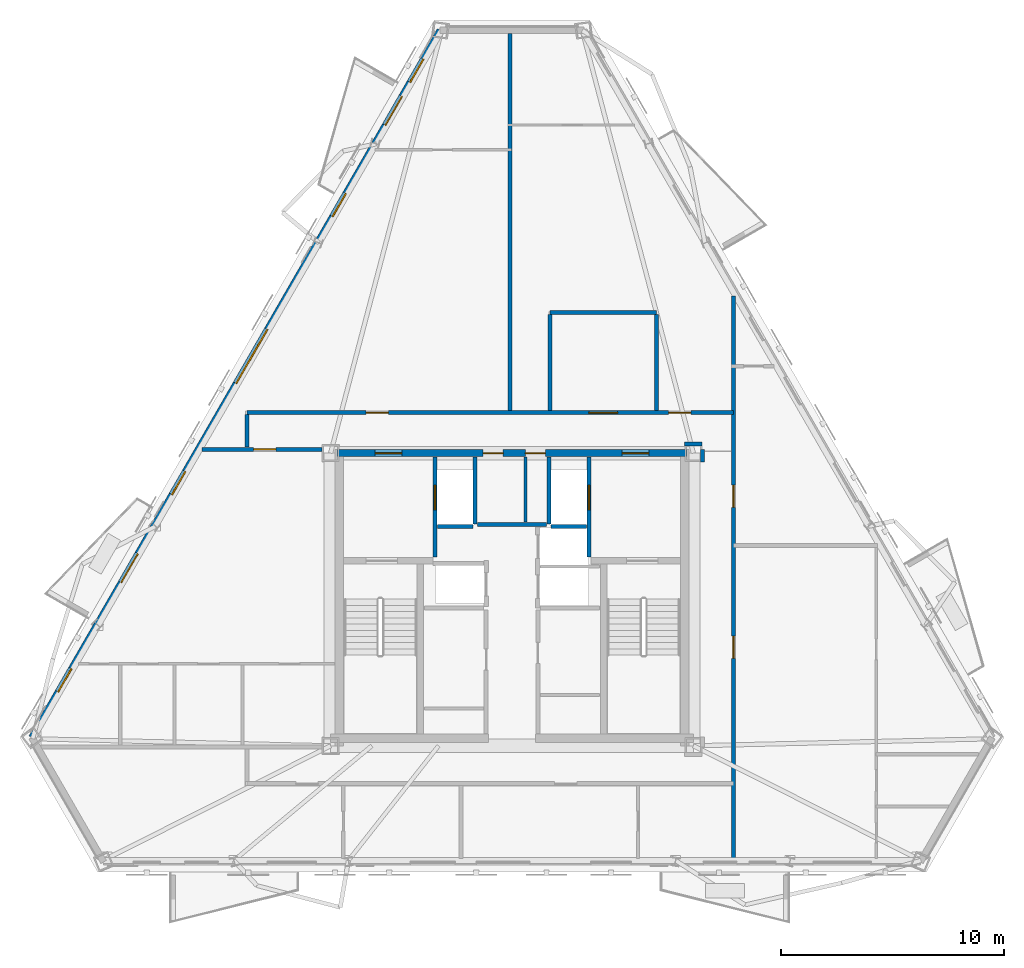
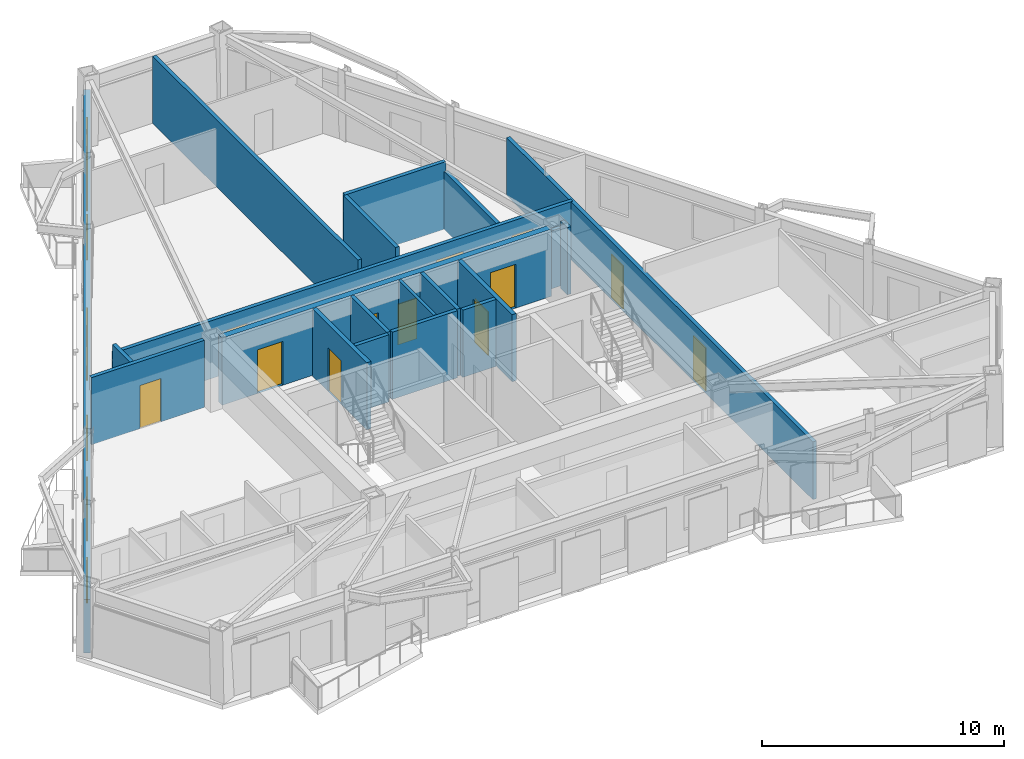
# One storey, part 4 of 9: 20 walls, 14 doors, 5 windows, 19 openings.
"""IFC4 building model written with IfcOpenShell, lengths in metres."""

from ifc_helpers import new_model, si_unit, direction, frame, frame_2d, origin, place, context, subcontext, project, spatial, rectangle, extrude, material, layer, layer_set, type_object, element, fill, save


model = new_model("IFC4")

# Units and contexts
model_context = context("Model", 3, precision=1e-05, world=origin(), true_north=direction((0.0, 1.0)))
body_context = subcontext(model_context, "Body", "Model", "MODEL_VIEW")
ifc_project = project(units=[si_unit("LENGTHUNIT", "METRE"), si_unit("AREAUNIT", "SQUARE_METRE"), si_unit("VOLUMEUNIT", "CUBIC_METRE"), si_unit("PLANEANGLEUNIT", "RADIAN"), si_unit("MASSUNIT", "GRAM", prefix="KILO")], contexts=[model_context])

# Site, building, storey
site_placement = place(None, origin())
site = spatial("IfcSite", under=ifc_project, at=site_placement, CompositionType="ELEMENT")
building_placement = place(site_placement, origin())
building = spatial("IfcBuilding", under=site, at=building_placement, Name="Oramaril Tower", CompositionType="ELEMENT")
storey_placement = place(building_placement, frame((0.0, 0.0, 223.5)))
storey = spatial("IfcBuildingStorey", under=building, at=storey_placement, Name="L59", CompositionType="ELEMENT", Elevation=223.5)

# Wall, openings, doors, windows
ifc_material_1 = material(Name="Warm Cream Limestone", Category="masonry")
ifc_layer_1 = layer(ifc_material_1, 0.2900390625)
ifc_layer_set_1 = layer_set([ifc_layer_1], Name="WT-EXT29")
wall_type_1 = type_object("IfcWallType", Name="WT-EXT29", PredefinedType="SOLIDWALL", material=ifc_layer_set_1)
wall_1_placement = place(storey_placement, frame((34.27392578125, 43.144287109375, 0.0), z_axis=(0.0, 0.0, 1.0), x_axis=(-0.500000292553, -0.866025234879, 0.0)))
wall_1 = element("IfcWall", 1, at=wall_1_placement, inside=storey, type_object=wall_type_1, Name="L59 Tower Limestone Facade Wall 6M", PredefinedType="SOLIDWALL", context=body_context, shape_type="SweptSolid", body=[
    extrude(rectangle(XDim=36.68798828125, YDim=0.2900390625, at=frame_2d((18.343994140625, 0.0))), origin(), (0.0, 0.0, 1.0), 2.677001953125),
])
opening_1_placement = place(wall_1_placement, frame((3.429443359375, 0.0, 0.0)))
opening_1 = element("IfcOpeningElement", 2, at=opening_1_placement, cuts=wall_1, Name="Opening D-L59-BAL-NW1", PredefinedType="OPENING", context=body_context, shape_type="SweptSolid", body=[
    extrude(rectangle(XDim=1.5, YDim=2.199951171875, at=frame_2d((0.75, 1.10009765625))), frame((0.0, 0.14501953125, 0.0), z_axis=(0.0, -1.0, 0.0), x_axis=(1.0, 0.0, 0.0)), (0.0, 0.0, 1.0), 0.2900390625),
])
opening_2_placement = place(wall_1_placement, frame((27.153564453125, 0.0, 0.0)))
opening_2 = element("IfcOpeningElement", 3, at=opening_2_placement, cuts=wall_1, Name="Opening D-L59-BAL-NW2", PredefinedType="OPENING", context=body_context, shape_type="SweptSolid", body=[
    extrude(rectangle(XDim=1.5, YDim=2.199951171875, at=frame_2d((0.75, 1.10009765625))), frame((0.0, 0.14501953125, 0.0), z_axis=(0.0, -1.0, 0.0), x_axis=(1.0, 0.0, 0.0)), (0.0, 0.0, 1.0), 0.2900390625),
])
opening_3_placement = place(wall_1_placement, frame((22.892578125, 0.0, 0.85009765625)))
opening_3 = element("IfcOpeningElement", 4, at=opening_3_placement, cuts=wall_1, Name="Opening WN-09", PredefinedType="OPENING", context=body_context, shape_type="SweptSolid", body=[
    extrude(rectangle(XDim=1.199951171875, YDim=1.47998046875, at=frame_2d((0.60009765625, 0.739990234375))), frame((0.0, 0.14501953125, 0.0), z_axis=(0.0, -1.0, 0.0), x_axis=(1.0, 0.0, 0.0)), (0.0, 0.0, 1.0), 0.2900390625),
])
opening_4_placement = place(wall_1_placement, frame((33.123779296875, 0.0, 0.85009765625)))
opening_4 = element("IfcOpeningElement", 5, at=opening_4_placement, cuts=wall_1, Name="Opening WN-09", PredefinedType="OPENING", context=body_context, shape_type="SweptSolid", body=[
    extrude(rectangle(XDim=1.199951171875, YDim=1.47998046875, at=frame_2d((0.60009765625, 0.739990234375))), frame((0.0, 0.14501953125, 0.0), z_axis=(0.0, -1.0, 0.0), x_axis=(1.0, 0.0, 0.0)), (0.0, 0.0, 1.0), 0.2900390625),
])
opening_5_placement = place(wall_1_placement, frame((8.469482421875, 0.0, 0.85009765625)))
opening_5 = element("IfcOpeningElement", 6, at=opening_5_placement, cuts=wall_1, Name="Opening WN-09", PredefinedType="OPENING", context=body_context, shape_type="SweptSolid", body=[
    extrude(rectangle(XDim=1.199951171875, YDim=1.47998046875, at=frame_2d((0.60009765625, 0.739990234375))), frame((0.0, 0.14501953125, 0.0), z_axis=(0.0, -1.0, 0.0), x_axis=(1.0, 0.0, 0.0)), (0.0, 0.0, 1.0), 0.2900390625),
])
opening_6_placement = place(wall_1_placement, frame((15.52099609375, 0.0, 0.85009765625)))
opening_6 = element("IfcOpeningElement", 7, at=opening_6_placement, cuts=wall_1, Name="Opening WN-01", PredefinedType="OPENING", context=body_context, shape_type="SweptSolid", body=[
    extrude(rectangle(XDim=2.800048828125, YDim=1.717041015625, at=frame_2d((1.39990234375, 0.8583984375))), frame((0.0, 0.14501953125, 0.0), z_axis=(0.0, -1.0, 0.0), x_axis=(1.0, 0.0, 0.0)), (0.0, 0.0, 1.0), 0.2900390625),
])
opening_7_placement = place(wall_1_placement, frame((1.499267578125, 0.0, 0.85009765625)))
opening_7 = element("IfcOpeningElement", 8, at=opening_7_placement, cuts=wall_1, Name="Opening WN-09", PredefinedType="OPENING", context=body_context, shape_type="SweptSolid", body=[
    extrude(rectangle(XDim=1.199951171875, YDim=1.47998046875, at=frame_2d((0.60009765625, 0.739990234375))), frame((0.0, 0.14501953125, 0.0), z_axis=(0.0, -1.0, 0.0), x_axis=(1.0, 0.0, 0.0)), (0.0, 0.0, 1.0), 0.2900390625),
])
ifc_material_2 = material(Name="Anodised Aluminium 6063-T6", Category="aluminium")
door_type_1 = type_object("IfcDoorType", Name="DT-BAL", OperationType="NOTDEFINED", PredefinedType="DOOR", material=ifc_material_2)
door_1_placement = place(opening_1_placement, origin())
door_1 = element("IfcDoor", 9, at=door_1_placement, inside=storey, type_object=door_type_1, Name="L59 Balcony Glazed Door L59-BAL-NW1", OperationType="SINGLE_SWING_RIGHT", OverallHeight=2.199951171875, OverallWidth=1.5, PredefinedType="DOOR", context=body_context, shape_type="SweptSolid", body=[
    extrude(rectangle(XDim=1.5, YDim=2.199951171875, at=frame_2d((0.75, 1.10009765625))), frame((0.0, 0.02490234375, 0.0), z_axis=(0.0, -1.0, 0.0), x_axis=(1.0, 0.0, 0.0)), (0.0, 0.0, 1.0), 0.050048828125),
])
fill(opening_1, door_1)
door_2_placement = place(opening_2_placement, origin())
door_2 = element("IfcDoor", 10, at=door_2_placement, inside=storey, type_object=door_type_1, Name="L59 Balcony Glazed Door L59-BAL-NW2", OperationType="SINGLE_SWING_LEFT", OverallHeight=2.199951171875, OverallWidth=1.5, PredefinedType="DOOR", context=body_context, shape_type="SweptSolid", body=[
    extrude(rectangle(XDim=1.5, YDim=2.199951171875, at=frame_2d((0.75, 1.10009765625))), frame((0.0, 0.02490234375, 0.0), z_axis=(0.0, -1.0, 0.0), x_axis=(1.0, 0.0, 0.0)), (0.0, 0.0, 1.0), 0.050048828125),
])
fill(opening_2, door_2)
ifc_material_3 = material(Name="Coastal Low-E Insulated Glass", Category="glass")
window_type_1 = type_object("IfcWindowType", Name="WNT-01", PartitioningType="SINGLE_PANEL", PredefinedType="WINDOW", material=ifc_material_3)
window_1_placement = place(opening_6_placement, origin())
window_1 = element("IfcWindow", 11, at=window_1_placement, inside=storey, type_object=window_type_1, Name="L59 Chicago Bay Window WN-01", OverallHeight=1.717041015625, OverallWidth=2.800048828125, PartitioningType="SINGLE_PANEL", PredefinedType="WINDOW", context=body_context, shape_type="SweptSolid", body=[
    extrude(rectangle(XDim=2.800048828125, YDim=1.717041015625, at=frame_2d((1.39990234375, 0.8583984375))), frame((0.0, 0.030029296875, 0.0), z_axis=(0.0, -1.0, 0.0), x_axis=(1.0, 0.0, 0.0)), (0.0, 0.0, 1.0), 0.06005859375),
])
fill(opening_6, window_1)
ifc_material_4 = material(Name="Coastal Low-E Insulated Glass", Category="glass")
window_type_2 = type_object("IfcWindowType", Name="WNT-09", PartitioningType="SINGLE_PANEL", PredefinedType="WINDOW", material=ifc_material_4)
window_2_placement = place(opening_3_placement, origin())
window_2 = element("IfcWindow", 12, at=window_2_placement, inside=storey, type_object=window_type_2, Name="L59 Chicago Bay Window WN-09", OverallHeight=1.47998046875, OverallWidth=1.199951171875, PartitioningType="SINGLE_PANEL", PredefinedType="WINDOW", context=body_context, shape_type="SweptSolid", body=[
    extrude(rectangle(XDim=1.199951171875, YDim=1.47998046875, at=frame_2d((0.60009765625, 0.739990234375))), frame((0.0, 0.030029296875, 0.0), z_axis=(0.0, -1.0, 0.0), x_axis=(1.0, 0.0, 0.0)), (0.0, 0.0, 1.0), 0.06005859375),
])
fill(opening_3, window_2)
window_3_placement = place(opening_4_placement, origin())
window_3 = element("IfcWindow", 13, at=window_3_placement, inside=storey, type_object=window_type_2, Name="L59 Chicago Bay Window WN-09", OverallHeight=1.47998046875, OverallWidth=1.199951171875, PartitioningType="SINGLE_PANEL", PredefinedType="WINDOW", context=body_context, shape_type="SweptSolid", body=[
    extrude(rectangle(XDim=1.199951171875, YDim=1.47998046875, at=frame_2d((0.60009765625, 0.739990234375))), frame((0.0, 0.030029296875, 0.0), z_axis=(0.0, -1.0, 0.0), x_axis=(1.0, 0.0, 0.0)), (0.0, 0.0, 1.0), 0.06005859375),
])
fill(opening_4, window_3)
window_4_placement = place(opening_5_placement, origin())
window_4 = element("IfcWindow", 14, at=window_4_placement, inside=storey, type_object=window_type_2, Name="L59 Chicago Bay Window WN-09", OverallHeight=1.47998046875, OverallWidth=1.199951171875, PartitioningType="SINGLE_PANEL", PredefinedType="WINDOW", context=body_context, shape_type="SweptSolid", body=[
    extrude(rectangle(XDim=1.199951171875, YDim=1.47998046875, at=frame_2d((0.60009765625, 0.739990234375))), frame((0.0, 0.030029296875, 0.0), z_axis=(0.0, -1.0, 0.0), x_axis=(1.0, 0.0, 0.0)), (0.0, 0.0, 1.0), 0.06005859375),
])
fill(opening_5, window_4)
window_5_placement = place(opening_7_placement, origin())
window_5 = element("IfcWindow", 15, at=window_5_placement, inside=storey, type_object=window_type_2, Name="L59 Chicago Bay Window WN-09", OverallHeight=1.47998046875, OverallWidth=1.199951171875, PartitioningType="SINGLE_PANEL", PredefinedType="WINDOW", context=body_context, shape_type="SweptSolid", body=[
    extrude(rectangle(XDim=1.199951171875, YDim=1.47998046875, at=frame_2d((0.60009765625, 0.739990234375))), frame((0.0, 0.030029296875, 0.0), z_axis=(0.0, -1.0, 0.0), x_axis=(1.0, 0.0, 0.0)), (0.0, 0.0, 1.0), 0.06005859375),
])
fill(opening_7, window_5)

# Walls
ifc_material_5 = material(Name="Acoustic Gypsum Board Partition")
ifc_layer_2 = layer(ifc_material_5, 0.139892578125)
ifc_layer_set_2 = layer_set([ifc_layer_2], Name="WT-PT14")
wall_type_2 = type_object("IfcWallType", Name="WT-PT14", PredefinedType="PARTITIONING", material=ifc_layer_set_2)
wall_2_placement = place(storey_placement, frame((38.110107421875, 21.06005859375, 0.0), z_axis=(0.0, 0.0, 1.0), x_axis=(0.0, 1.0, 0.0)))
element("IfcWall", 16, at=wall_2_placement, inside=storey, type_object=wall_type_2, Name="L59 Core Service Divider", PredefinedType="PARTITIONING", context=body_context, shape_type="SweptSolid", body=[
    extrude(rectangle(XDim=2.919921875, YDim=0.139892578125, at=frame_2d((1.4599609375, 0.0))), origin(), (0.0, 0.0, 1.0), 3.3798828125),
])
ifc_material_6 = material(Name="Autoclaved Cellular Concrete Block", Category="concrete")
ifc_layer_3 = layer(ifc_material_6, 0.179931640625)
ifc_layer_set_3 = layer_set([ifc_layer_3], Name="WT-PT18")
wall_type_3 = type_object("IfcWallType", Name="WT-PT18", PredefinedType="PARTITIONING", material=ifc_layer_set_3)
wall_3_placement = place(storey_placement, frame((35.840087890625, 20.9599609375, 0.0), z_axis=(0.0, 0.0, 1.0), x_axis=(0.0, 1.0, 0.0)))
element("IfcWall", 17, at=wall_3_placement, inside=storey, type_object=wall_type_3, Name="L59 FL-1 East Shaft Wall", PredefinedType="PARTITIONING", context=body_context, shape_type="SweptSolid", body=[
    extrude(rectangle(XDim=3.02001953125, YDim=0.179931640625, at=frame_2d((1.510009765625, 0.0))), origin(), (0.0, 0.0, 1.0), 3.3798828125),
])
wall_4_placement = place(storey_placement, frame((34.159912109375, 20.860107421875, 0.0), z_axis=(0.0, 0.0, 1.0), x_axis=(1.0, 0.0, 0.0)))
element("IfcWall", 18, at=wall_4_placement, inside=storey, type_object=wall_type_3, Name="L59 FL-1 South Shaft Wall", PredefinedType="PARTITIONING", context=body_context, shape_type="SweptSolid", body=[
    extrude(rectangle(XDim=1.580078125, YDim=0.179931640625, at=frame_2d((0.7900390625, 0.0))), origin(), (0.0, 0.0, 1.0), 3.3798828125),
])
wall_5_placement = place(storey_placement, frame((39.159912109375, 20.9599609375, 0.0), z_axis=(0.0, 0.0, 1.0), x_axis=(0.0, 1.0, 0.0)))
element("IfcWall", 19, at=wall_5_placement, inside=storey, type_object=wall_type_3, Name="L59 FL-2 West Shaft Wall", PredefinedType="PARTITIONING", context=body_context, shape_type="SweptSolid", body=[
    extrude(rectangle(XDim=3.02001953125, YDim=0.179931640625, at=frame_2d((1.510009765625, 0.0))), origin(), (0.0, 0.0, 1.0), 3.3798828125),
])
wall_6_placement = place(storey_placement, frame((39.260009765625, 20.860107421875, 0.0), z_axis=(0.0, 0.0, 1.0), x_axis=(1.0, 0.0, 0.0)))
element("IfcWall", 20, at=wall_6_placement, inside=storey, type_object=wall_type_3, Name="L59 FL-2 South Shaft Wall", PredefinedType="PARTITIONING", context=body_context, shape_type="SweptSolid", body=[
    extrude(rectangle(XDim=1.580078125, YDim=0.179931640625, at=frame_2d((0.7900390625, 0.0))), origin(), (0.0, 0.0, 1.0), 3.3798828125),
])
wall_7_placement = place(storey_placement, frame((35.949951171875, 20.949951171875, 0.0), z_axis=(0.0, 0.0, 1.0), x_axis=(1.0, 0.0, 0.0)))
element("IfcWall", 21, at=wall_7_placement, inside=storey, type_object=wall_type_3, Name="L59 Lift Lobby North Partition", PredefinedType="PARTITIONING", context=body_context, shape_type="SweptSolid", body=[
    extrude(rectangle(XDim=3.10009765625, YDim=0.179931640625, at=frame_2d((1.550048828125, 0.0))), origin(), (0.0, 0.0, 1.0), 3.3798828125),
])

# Wall, opening, door
wall_8_placement = place(storey_placement, frame((23.577880859375, 24.320068359375, 0.0), z_axis=(0.0, 0.0, 1.0), x_axis=(1.0, 0.0, 0.0)))
wall_8 = element("IfcWall", 22, at=wall_8_placement, inside=storey, type_object=wall_type_3, Name="L59 Interior Partition PT-18", PredefinedType="PARTITIONING", context=body_context, shape_type="SweptSolid", body=[
    extrude(rectangle(XDim=5.382080078125, YDim=0.179931640625, at=frame_2d((2.69091796875, 0.0))), origin(), (0.0, 0.0, 1.0), 3.3798828125),
])
opening_8_placement = place(wall_8_placement, frame((2.310302734375, 0.0, 0.0)))
opening_8 = element("IfcOpeningElement", 23, at=opening_8_placement, cuts=wall_8, Name="Opening D-L59-07", PredefinedType="OPENING", context=body_context, shape_type="SweptSolid", body=[
    extrude(rectangle(XDim=1.0, YDim=2.179931640625, at=frame_2d((0.5, 1.08984375))), frame((0.0, 0.08984375, 0.0), z_axis=(0.0, -1.0, 0.0), x_axis=(1.0, 0.0, 0.0)), (0.0, 0.0, 1.0), 0.179931640625),
])
ifc_material_7 = material(Name="FSC Brazilian Freijo Hardwood", Category="wood")
door_type_2 = type_object("IfcDoorType", Name="DT-APT", OperationType="NOTDEFINED", PredefinedType="DOOR", material=ifc_material_7)
door_3_placement = place(opening_8_placement, origin())
door_3 = element("IfcDoor", 24, at=door_3_placement, inside=storey, type_object=door_type_2, Name="L59 Flat L59-U3 Penthouse Living and Dining Room Door D-L59-07", OperationType="SINGLE_SWING_LEFT", OverallHeight=2.179931640625, OverallWidth=1.0, PredefinedType="DOOR", context=body_context, shape_type="SweptSolid", body=[
    extrude(rectangle(XDim=1.0, YDim=2.179931640625, at=frame_2d((0.5, 1.08984375))), frame((0.0, 0.02490234375, 0.0), z_axis=(0.0, -1.0, 0.0), x_axis=(1.0, 0.0, 0.0)), (0.0, 0.0, 1.0), 0.050048828125),
])
fill(opening_8, door_3)

# Wall
wall_9_placement = place(storey_placement, frame((45.2548828125, 24.550048828125, 0.0), z_axis=(0.0, 0.0, 1.0), x_axis=(1.0, 0.0, 0.0)))
element("IfcWall", 25, at=wall_9_placement, inside=storey, type_object=wall_type_3, Name="L59 Interior Partition PT-18", PredefinedType="PARTITIONING", context=body_context, shape_type="SweptSolid", body=[
    extrude(rectangle(XDim=0.7900390625, YDim=0.179931640625, at=frame_2d((0.39501953125, 0.0))), origin(), (0.0, 0.0, 1.0), 2.9130859375),
])

# Wall, openings, doors
wall_10_placement = place(storey_placement, frame((25.60009765625, 25.969970703125, 0.0), z_axis=(0.0, 0.0, 1.0), x_axis=(1.0, 0.0, 0.0)))
wall_10 = element("IfcWall", 26, at=wall_10_placement, inside=storey, type_object=wall_type_3, Name="L59 Interior Partition PT-18", PredefinedType="PARTITIONING", context=body_context, shape_type="SweptSolid", body=[
    extrude(rectangle(XDim=21.849853515625, YDim=0.179931640625, at=frame_2d((10.9248046875, 0.0))), origin(), (0.0, 0.0, 1.0), 2.9130859375),
])
opening_9_placement = place(wall_10_placement, frame((5.3466796875, 0.0, 0.0)))
opening_9 = element("IfcOpeningElement", 27, at=opening_9_placement, cuts=wall_10, Name="Opening D-L59-08", PredefinedType="OPENING", context=body_context, shape_type="SweptSolid", body=[
    extrude(rectangle(XDim=1.0, YDim=2.179931640625, at=frame_2d((0.5, 1.08984375))), frame((0.0, 0.08984375, 0.0), z_axis=(0.0, -1.0, 0.0), x_axis=(1.0, 0.0, 0.0)), (0.0, 0.0, 1.0), 0.179931640625),
])
opening_10_placement = place(wall_10_placement, frame((15.35009765625, 0.0, 0.0)))
opening_10 = element("IfcOpeningElement", 28, at=opening_10_placement, cuts=wall_10, Name="Opening D-L59-09", PredefinedType="OPENING", context=body_context, shape_type="SweptSolid", body=[
    extrude(rectangle(XDim=1.300048828125, YDim=2.199951171875, at=frame_2d((0.64990234375, 1.10009765625))), frame((0.0, 0.08984375, 0.0), z_axis=(0.0, -1.0, 0.0), x_axis=(1.0, 0.0, 0.0)), (0.0, 0.0, 1.0), 0.179931640625),
])
opening_11_placement = place(wall_10_placement, frame((18.9404296875, 0.0, 0.0)))
opening_11 = element("IfcOpeningElement", 29, at=opening_11_placement, cuts=wall_10, Name="Opening D-L59-10", PredefinedType="OPENING", context=body_context, shape_type="SweptSolid", body=[
    extrude(rectangle(XDim=1.0, YDim=2.179931640625, at=frame_2d((0.5, 1.08984375))), frame((0.0, 0.08984375, 0.0), z_axis=(0.0, -1.0, 0.0), x_axis=(1.0, 0.0, 0.0)), (0.0, 0.0, 1.0), 0.179931640625),
])
door_4_placement = place(opening_9_placement, origin())
door_4 = element("IfcDoor", 30, at=door_4_placement, inside=storey, type_object=door_type_2, Name="L59 Flat L59-U6 Kitchen and Studio Apartment Door D-L59-08", OperationType="SINGLE_SWING_RIGHT", OverallHeight=2.179931640625, OverallWidth=1.0, PredefinedType="DOOR", context=body_context, shape_type="SweptSolid", body=[
    extrude(rectangle(XDim=1.0, YDim=2.179931640625, at=frame_2d((0.5, 1.08984375))), frame((0.0, 0.02490234375, 0.0), z_axis=(0.0, -1.0, 0.0), x_axis=(1.0, 0.0, 0.0)), (0.0, 0.0, 1.0), 0.050048828125),
])
fill(opening_9, door_4)
door_5_placement = place(opening_11_placement, origin())
door_5 = element("IfcDoor", 31, at=door_5_placement, inside=storey, type_object=door_type_2, Name="L59 Flat L59-U7 Kitchen and Studio Apartment Door D-L59-10", OperationType="SINGLE_SWING_RIGHT", OverallHeight=2.179931640625, OverallWidth=1.0, PredefinedType="DOOR", context=body_context, shape_type="SweptSolid", body=[
    extrude(rectangle(XDim=1.0, YDim=2.179931640625, at=frame_2d((0.5, 1.08984375))), frame((0.0, 0.02490234375, 0.0), z_axis=(0.0, -1.0, 0.0), x_axis=(1.0, 0.0, 0.0)), (0.0, 0.0, 1.0), 0.050048828125),
])
fill(opening_11, door_5)
ifc_material_8 = material(Name="FSC Brazilian Freijo Hardwood", Category="wood")
door_type_3 = type_object("IfcDoorType", Name="DT-COM", OperationType="NOTDEFINED", PredefinedType="DOOR", material=ifc_material_8)
door_6_placement = place(opening_10_placement, origin())
door_6 = element("IfcDoor", 32, at=door_6_placement, inside=storey, type_object=door_type_3, Name="L59 L59 Residents Floor Meeting Suite Door D-L59-09", OperationType="SINGLE_SWING_LEFT", OverallHeight=2.199951171875, OverallWidth=1.300048828125, PredefinedType="DOOR", context=body_context, shape_type="SweptSolid", body=[
    extrude(rectangle(XDim=1.300048828125, YDim=2.199951171875, at=frame_2d((0.64990234375, 1.10009765625))), frame((0.0, 0.02490234375, 0.0), z_axis=(0.0, -1.0, 0.0), x_axis=(1.0, 0.0, 0.0)), (0.0, 0.0, 1.0), 0.050048828125),
])
fill(opening_10, door_6)

# Walls
wall_11_placement = place(storey_placement, frame((39.199951171875, 30.469970703125, 0.0), z_axis=(0.0, 0.0, 1.0), x_axis=(1.0, 0.0, 0.0)))
element("IfcWall", 33, at=wall_11_placement, inside=storey, type_object=wall_type_3, Name="L59 Interior Partition PT-18", PredefinedType="PARTITIONING", context=body_context, shape_type="SweptSolid", body=[
    extrude(rectangle(XDim=4.800048828125, YDim=0.179931640625, at=frame_2d((2.39990234375, 0.0))), origin(), (0.0, 0.0, 1.0), 3.3798828125),
])
wall_12_placement = place(storey_placement, frame((25.60009765625, 24.4140625, 0.0), z_axis=(0.0, 0.0, 1.0), x_axis=(0.0, 1.0, 0.0)))
element("IfcWall", 34, at=wall_12_placement, inside=storey, type_object=wall_type_3, Name="L59 Interior Partition PT-18", PredefinedType="PARTITIONING", context=body_context, shape_type="SweptSolid", body=[
    extrude(rectangle(XDim=1.4619140625, YDim=0.179931640625, at=frame_2d((0.73095703125, 0.0))), origin(), (0.0, 0.0, 1.0), 3.3798828125),
])
wall_13_placement = place(storey_placement, frame((37.39990234375, 26.06396484375, 0.0), z_axis=(0.0, 0.0, 1.0), x_axis=(0.0, 1.0, 0.0)))
element("IfcWall", 35, at=wall_13_placement, inside=storey, type_object=wall_type_3, Name="L59 Interior Partition PT-18", PredefinedType="PARTITIONING", context=body_context, shape_type="SweptSolid", body=[
    extrude(rectangle(XDim=16.931396484375, YDim=0.179931640625, at=frame_2d((8.4658203125, 0.0))), origin(), (0.0, 0.0, 1.0), 3.3798828125),
])
wall_14_placement = place(storey_placement, frame((39.199951171875, 26.06396484375, 0.0), z_axis=(0.0, 0.0, 1.0), x_axis=(0.0, 1.0, 0.0)))
element("IfcWall", 36, at=wall_14_placement, inside=storey, type_object=wall_type_3, Name="L59 Interior Partition PT-18", PredefinedType="PARTITIONING", context=body_context, shape_type="SweptSolid", body=[
    extrude(rectangle(XDim=4.31201171875, YDim=0.179931640625, at=frame_2d((2.156005859375, 0.0))), origin(), (0.0, 0.0, 1.0), 3.3798828125),
])
wall_15_placement = place(storey_placement, frame((44.0, 26.06396484375, 0.0), z_axis=(0.0, 0.0, 1.0), x_axis=(0.0, 1.0, 0.0)))
element("IfcWall", 37, at=wall_15_placement, inside=storey, type_object=wall_type_3, Name="L59 Interior Partition PT-18", PredefinedType="PARTITIONING", context=body_context, shape_type="SweptSolid", body=[
    extrude(rectangle(XDim=4.31201171875, YDim=0.179931640625, at=frame_2d((2.156005859375, 0.0))), origin(), (0.0, 0.0, 1.0), 2.9130859375),
])
wall_16_placement = place(storey_placement, frame((46.050048828125, 23.7548828125, 0.0), z_axis=(0.0, 0.0, 1.0), x_axis=(0.0, 1.0, 0.0)))
element("IfcWall", 38, at=wall_16_placement, inside=storey, type_object=wall_type_3, Name="L59 Interior Partition PT-18", PredefinedType="PARTITIONING", context=body_context, shape_type="SweptSolid", body=[
    extrude(rectangle(XDim=0.565185546875, YDim=0.179931640625, at=frame_2d((0.28271484375, 0.0))), origin(), (0.0, 0.0, 1.0), 3.3798828125),
])

# Wall, openings, doors
wall_17_placement = place(storey_placement, frame((47.449951171875, 5.93310546875, 0.0), z_axis=(0.0, 0.0, 1.0), x_axis=(0.0, 1.0, 0.0)))
wall_17 = element("IfcWall", 39, at=wall_17_placement, inside=storey, type_object=wall_type_3, Name="L59 Interior Partition PT-18", PredefinedType="PARTITIONING", context=body_context, shape_type="SweptSolid", body=[
    extrude(rectangle(XDim=25.26708984375, YDim=0.179931640625, at=frame_2d((12.633544921875, 0.0))), origin(), (0.0, 0.0, 1.0), 2.9130859375),
])
opening_12_placement = place(wall_17_placement, frame((8.9892578125, 0.0, 0.0)))
opening_12 = element("IfcOpeningElement", 40, at=opening_12_placement, cuts=wall_17, Name="Opening D-L59-16", PredefinedType="OPENING", context=body_context, shape_type="SweptSolid", body=[
    extrude(rectangle(XDim=1.0, YDim=2.179931640625, at=frame_2d((0.5, 1.08984375))), frame((0.0, 0.08984375, 0.0), z_axis=(0.0, -1.0, 0.0), x_axis=(1.0, 0.0, 0.0)), (0.0, 0.0, 1.0), 0.179931640625),
])
opening_13_placement = place(wall_17_placement, frame((15.779296875, 0.0, 0.0)))
opening_13 = element("IfcOpeningElement", 41, at=opening_13_placement, cuts=wall_17, Name="Opening D-L59-17", PredefinedType="OPENING", context=body_context, shape_type="SweptSolid", body=[
    extrude(rectangle(XDim=1.0, YDim=2.179931640625, at=frame_2d((0.5, 1.08984375))), frame((0.0, 0.08984375, 0.0), z_axis=(0.0, -1.0, 0.0), x_axis=(1.0, 0.0, 0.0)), (0.0, 0.0, 1.0), 0.179931640625),
])
door_7_placement = place(opening_12_placement, origin())
door_7 = element("IfcDoor", 42, at=door_7_placement, inside=storey, type_object=door_type_2, Name="L59 Flat L59-U4 Penthouse Living and Dining Room Door D-L59-16", OperationType="SINGLE_SWING_RIGHT", OverallHeight=2.179931640625, OverallWidth=1.0, PredefinedType="DOOR", context=body_context, shape_type="SweptSolid", body=[
    extrude(rectangle(XDim=1.0, YDim=2.179931640625, at=frame_2d((0.5, 1.08984375))), frame((0.0, 0.02490234375, 0.0), z_axis=(0.0, -1.0, 0.0), x_axis=(1.0, 0.0, 0.0)), (0.0, 0.0, 1.0), 0.050048828125),
])
fill(opening_12, door_7)
door_8_placement = place(opening_13_placement, origin())
door_8 = element("IfcDoor", 43, at=door_8_placement, inside=storey, type_object=door_type_2, Name="L59 Flat L59-U5 Kitchen and Studio Apartment Door D-L59-17", OperationType="SINGLE_SWING_LEFT", OverallHeight=2.179931640625, OverallWidth=1.0, PredefinedType="DOOR", context=body_context, shape_type="SweptSolid", body=[
    extrude(rectangle(XDim=1.0, YDim=2.179931640625, at=frame_2d((0.5, 1.08984375))), frame((0.0, 0.02490234375, 0.0), z_axis=(0.0, -1.0, 0.0), x_axis=(1.0, 0.0, 0.0)), (0.0, 0.0, 1.0), 0.050048828125),
])
fill(opening_13, door_8)

ifc_material_9 = material(Name="Concrete C50/60", Category="concrete")
ifc_layer_4 = layer(ifc_material_9, 0.300048828125)
ifc_layer_set_4 = layer_set([ifc_layer_4], Name="WT-SH30")
wall_type_4 = type_object("IfcWallType", Name="WT-SH30", PredefinedType="SHEAR", material=ifc_layer_set_4)
wall_18_placement = place(storey_placement, frame((29.64990234375, 24.14990234375, 0.0), z_axis=(0.0, 0.0, 1.0), x_axis=(1.0, 0.0, 0.0)))
wall_18 = element("IfcWall", 44, at=wall_18_placement, inside=storey, type_object=wall_type_4, Name="L59 Core Shear Wall CW-N", PredefinedType="SHEAR", context=body_context, shape_type="SweptSolid", body=[
    extrude(rectangle(XDim=15.7001953125, YDim=0.300048828125, at=frame_2d((7.85009765625, 0.0))), origin(), (0.0, 0.0, 1.0), 3.3798828125),
])
opening_14_placement = place(wall_18_placement, frame((1.699951171875, 0.0, 0.0)))
opening_14 = element("IfcOpeningElement", 45, at=opening_14_placement, cuts=wall_18, Name="Opening D-L59-FFL1", PredefinedType="OPENING", context=body_context, shape_type="SweptSolid", body=[
    extrude(rectangle(XDim=1.199951171875, YDim=2.199951171875, at=frame_2d((0.60009765625, 1.10009765625))), frame((0.0, 0.14990234375, 0.0), z_axis=(0.0, -1.0, 0.0), x_axis=(1.0, 0.0, 0.0)), (0.0, 0.0, 1.0), 0.300048828125),
])
opening_15_placement = place(wall_18_placement, frame((12.800048828125, 0.0, 0.0)))
opening_15 = element("IfcOpeningElement", 46, at=opening_15_placement, cuts=wall_18, Name="Opening D-L59-FFL2", PredefinedType="OPENING", context=body_context, shape_type="SweptSolid", body=[
    extrude(rectangle(XDim=1.199951171875, YDim=2.199951171875, at=frame_2d((0.60009765625, 1.10009765625))), frame((0.0, 0.14990234375, 0.0), z_axis=(0.0, -1.0, 0.0), x_axis=(1.0, 0.0, 0.0)), (0.0, 0.0, 1.0), 0.300048828125),
])
opening_16_placement = place(wall_18_placement, frame((6.550048828125, 0.0, 0.0)))
opening_16 = element("IfcOpeningElement", 47, at=opening_16_placement, cuts=wall_18, Name="Opening D-L59-SV1", PredefinedType="OPENING", context=body_context, shape_type="SweptSolid", body=[
    extrude(rectangle(XDim=0.89990234375, YDim=2.050048828125, at=frame_2d((0.449951171875, 1.02490234375))), frame((0.0, 0.14990234375, 0.0), z_axis=(0.0, -1.0, 0.0), x_axis=(1.0, 0.0, 0.0)), (0.0, 0.0, 1.0), 0.300048828125),
])
opening_17_placement = place(wall_18_placement, frame((8.449951171875, 0.0, 0.0)))
opening_17 = element("IfcOpeningElement", 48, at=opening_17_placement, cuts=wall_18, Name="Opening D-L59-SV2", PredefinedType="OPENING", context=body_context, shape_type="SweptSolid", body=[
    extrude(rectangle(XDim=0.89990234375, YDim=2.050048828125, at=frame_2d((0.449951171875, 1.02490234375))), frame((0.0, 0.14990234375, 0.0), z_axis=(0.0, -1.0, 0.0), x_axis=(1.0, 0.0, 0.0)), (0.0, 0.0, 1.0), 0.300048828125),
])
ifc_material_10 = material(Name="Painted Galvanised Steel", Category="steel")
door_type_4 = type_object("IfcDoorType", Name="DT-FFL", OperationType="NOTDEFINED", PredefinedType="DOOR", material=ifc_material_10)
door_9_placement = place(opening_14_placement, origin())
door_9 = element("IfcDoor", 49, at=door_9_placement, inside=storey, type_object=door_type_4, Name="L59 Firefighting Lobby 1 Fire Door", OperationType="SINGLE_SWING_LEFT", OverallHeight=2.199951171875, OverallWidth=1.199951171875, PredefinedType="DOOR", context=body_context, shape_type="SweptSolid", body=[
    extrude(rectangle(XDim=1.199951171875, YDim=2.199951171875, at=frame_2d((0.60009765625, 1.10009765625))), frame((0.0, 0.02490234375, 0.0), z_axis=(0.0, -1.0, 0.0), x_axis=(1.0, 0.0, 0.0)), (0.0, 0.0, 1.0), 0.050048828125),
])
fill(opening_14, door_9)
door_10_placement = place(opening_15_placement, origin())
door_10 = element("IfcDoor", 50, at=door_10_placement, inside=storey, type_object=door_type_4, Name="L59 Firefighting Lobby 2 Fire Door", OperationType="SINGLE_SWING_RIGHT", OverallHeight=2.199951171875, OverallWidth=1.199951171875, PredefinedType="DOOR", context=body_context, shape_type="SweptSolid", body=[
    extrude(rectangle(XDim=1.199951171875, YDim=2.199951171875, at=frame_2d((0.60009765625, 1.10009765625))), frame((0.0, 0.02490234375, 0.0), z_axis=(0.0, -1.0, 0.0), x_axis=(1.0, 0.0, 0.0)), (0.0, 0.0, 1.0), 0.050048828125),
])
fill(opening_15, door_10)
ifc_material_11 = material(Name="Painted Galvanised Steel", Category="steel")
door_type_5 = type_object("IfcDoorType", Name="DT-SVC", OperationType="NOTDEFINED", PredefinedType="DOOR", material=ifc_material_11)
door_11_placement = place(opening_16_placement, origin())
door_11 = element("IfcDoor", 51, at=door_11_placement, inside=storey, type_object=door_type_5, Name="L59 Core Service Store 1 Door", OperationType="SINGLE_SWING_LEFT", OverallHeight=2.050048828125, OverallWidth=0.89990234375, PredefinedType="DOOR", context=body_context, shape_type="SweptSolid", body=[
    extrude(rectangle(XDim=0.89990234375, YDim=2.050048828125, at=frame_2d((0.449951171875, 1.02490234375))), frame((0.0, 0.02490234375, 0.0), z_axis=(0.0, -1.0, 0.0), x_axis=(1.0, 0.0, 0.0)), (0.0, 0.0, 1.0), 0.050048828125),
])
fill(opening_16, door_11)
door_12_placement = place(opening_17_placement, origin())
door_12 = element("IfcDoor", 52, at=door_12_placement, inside=storey, type_object=door_type_5, Name="L59 Core Service Store 2 Door", OperationType="SINGLE_SWING_RIGHT", OverallHeight=2.050048828125, OverallWidth=0.89990234375, PredefinedType="DOOR", context=body_context, shape_type="SweptSolid", body=[
    extrude(rectangle(XDim=0.89990234375, YDim=2.050048828125, at=frame_2d((0.449951171875, 1.02490234375))), frame((0.0, 0.02490234375, 0.0), z_axis=(0.0, -1.0, 0.0), x_axis=(1.0, 0.0, 0.0)), (0.0, 0.0, 1.0), 0.050048828125),
])
fill(opening_17, door_12)

# Wall, opening, door
ifc_material_12 = material(Name="Autoclaved Cellular Concrete Block", Category="concrete")
ifc_layer_5 = layer(ifc_material_12, 0.199951171875)
ifc_layer_set_5 = layer_set([ifc_layer_5], Name="WT-SHF20")
wall_type_5 = type_object("IfcWallType", Name="WT-SHF20", PredefinedType="PARTITIONING", material=ifc_layer_set_5)
wall_19_placement = place(storey_placement, frame((34.0400390625, 19.47998046875, 0.0), z_axis=(0.0, 0.0, 1.0), x_axis=(0.0, 1.0, 0.0)))
wall_19 = element("IfcWall", 53, at=wall_19_placement, inside=storey, type_object=wall_type_5, Name="L59 FL-1 Lobby Shaft Wall", PredefinedType="PARTITIONING", context=body_context, shape_type="SweptSolid", body=[
    extrude(rectangle(XDim=4.5, YDim=0.199951171875, at=frame_2d((2.25, 0.0))), origin(), (0.0, 0.0, 1.0), 3.3798828125),
])
opening_18_placement = place(wall_19_placement, frame((2.1201171875, 0.0, 0.0)))
opening_18 = element("IfcOpeningElement", 54, at=opening_18_placement, cuts=wall_19, Name="Opening LD-L59-FL-1", PredefinedType="OPENING", context=body_context, shape_type="SweptSolid", body=[
    extrude(rectangle(XDim=1.10009765625, YDim=2.199951171875, at=frame_2d((0.550048828125, 1.10009765625))), frame((0.0, 0.10009765625, 0.0), z_axis=(0.0, -1.0, 0.0), x_axis=(1.0, 0.0, 0.0)), (0.0, 0.0, 1.0), 0.199951171875),
])
ifc_material_13 = material(Name="Stainless Steel 316L", Category="steel")
door_type_6 = type_object("IfcDoorType", Name="DT-LD1", OperationType="NOTDEFINED", PredefinedType="DOOR", material=ifc_material_13)
door_13_placement = place(opening_18_placement, origin())
door_13 = element("IfcDoor", 55, at=door_13_placement, inside=storey, type_object=door_type_6, Name="L59 Lift FL-1 Sliding Landing Door", OperationType="SLIDING_TO_LEFT", OverallHeight=2.199951171875, OverallWidth=1.10009765625, PredefinedType="DOOR", context=body_context, shape_type="SweptSolid", body=[
    extrude(rectangle(XDim=1.10009765625, YDim=2.199951171875, at=frame_2d((0.550048828125, 1.10009765625))), frame((0.0, 0.02490234375, 0.0), z_axis=(0.0, -1.0, 0.0), x_axis=(1.0, 0.0, 0.0)), (0.0, 0.0, 1.0), 0.050048828125),
])
fill(opening_18, door_13)

wall_20_placement = place(storey_placement, frame((40.9599609375, 19.47998046875, 0.0), z_axis=(0.0, 0.0, 1.0), x_axis=(0.0, 1.0, 0.0)))
wall_20 = element("IfcWall", 56, at=wall_20_placement, inside=storey, type_object=wall_type_5, Name="L59 FL-2 Lobby Shaft Wall", PredefinedType="PARTITIONING", context=body_context, shape_type="SweptSolid", body=[
    extrude(rectangle(XDim=4.5, YDim=0.199951171875, at=frame_2d((2.25, 0.0))), origin(), (0.0, 0.0, 1.0), 3.3798828125),
])
opening_19_placement = place(wall_20_placement, frame((2.1201171875, 0.0, 0.0)))
opening_19 = element("IfcOpeningElement", 57, at=opening_19_placement, cuts=wall_20, Name="Opening LD-L59-FL-2", PredefinedType="OPENING", context=body_context, shape_type="SweptSolid", body=[
    extrude(rectangle(XDim=1.10009765625, YDim=2.199951171875, at=frame_2d((0.550048828125, 1.10009765625))), frame((0.0, 0.10009765625, 0.0), z_axis=(0.0, -1.0, 0.0), x_axis=(1.0, 0.0, 0.0)), (0.0, 0.0, 1.0), 0.199951171875),
])
door_14_placement = place(opening_19_placement, origin())
door_14 = element("IfcDoor", 58, at=door_14_placement, inside=storey, type_object=door_type_6, Name="L59 Lift FL-2 Sliding Landing Door", OperationType="SLIDING_TO_RIGHT", OverallHeight=2.199951171875, OverallWidth=1.10009765625, PredefinedType="DOOR", context=body_context, shape_type="SweptSolid", body=[
    extrude(rectangle(XDim=1.10009765625, YDim=2.199951171875, at=frame_2d((0.550048828125, 1.10009765625))), frame((0.0, 0.02490234375, 0.0), z_axis=(0.0, -1.0, 0.0), x_axis=(1.0, 0.0, 0.0)), (0.0, 0.0, 1.0), 0.050048828125),
])
fill(opening_19, door_14)

save(model, "model.ifc")
